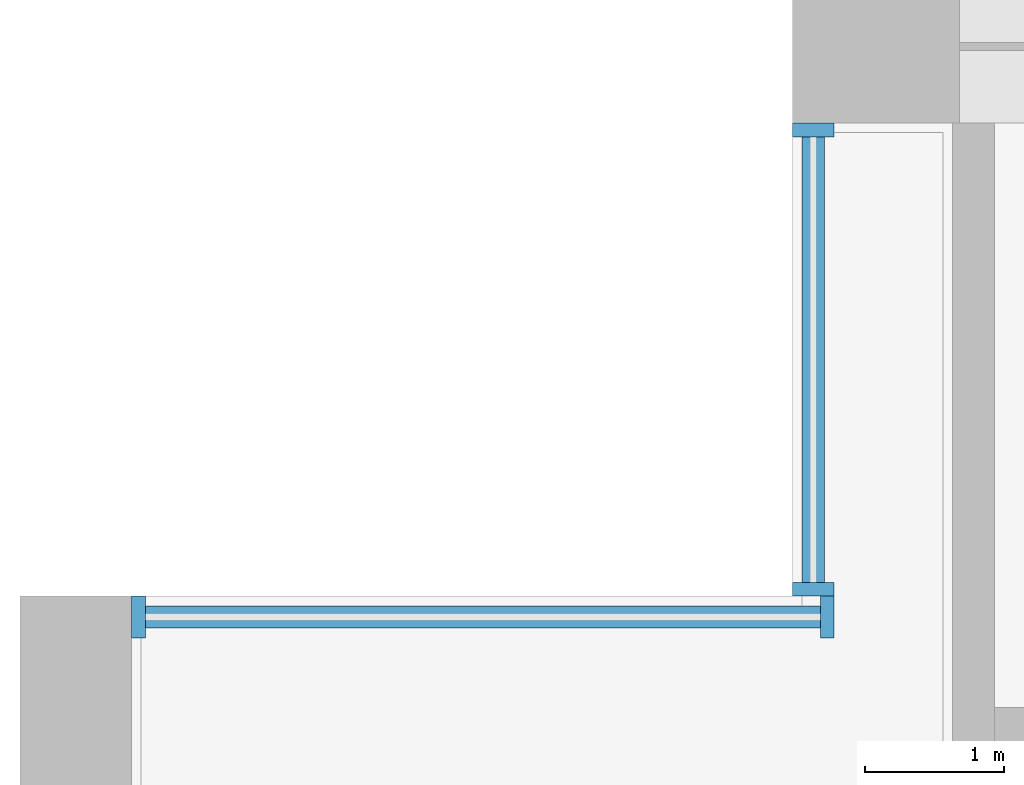
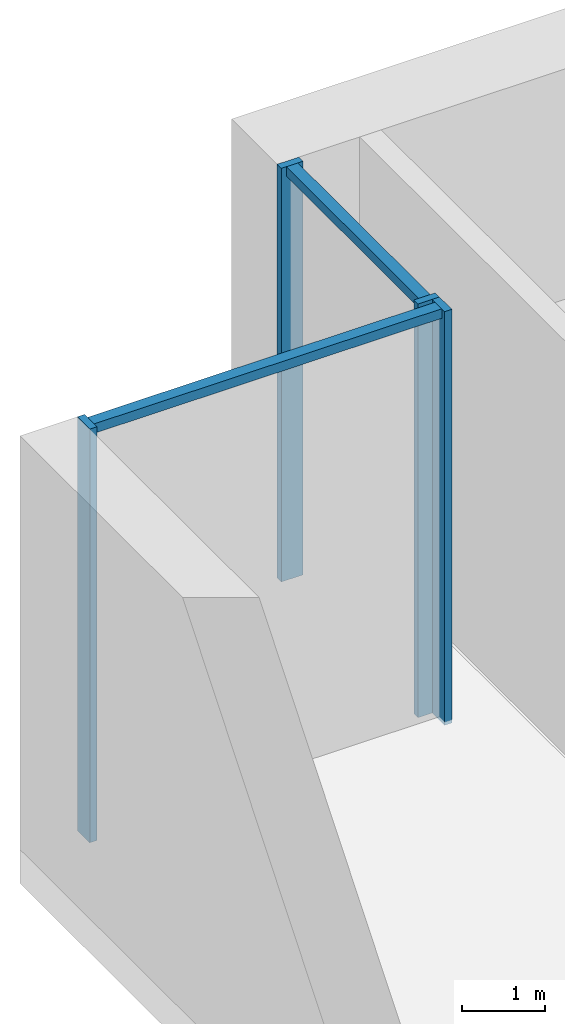
# One storey, part 4 of 18: 6 members, 2 elements without a shape of their own.
"""IFC4 building model written with IfcOpenShell, lengths in metres."""

from ifc_helpers import new_model, si_unit, direction, frame, origin, origin_2d, place, context, subcontext, project, spatial, rectangle, extrude, material, material_profile, profile_set, type_object, element, aggregate, save


model = new_model("IFC4")

# Units and contexts
model_context = context("Model", 3, precision=1e-05, world=origin(), true_north=direction((0.0, 1.0)))
body_context = subcontext(model_context, "Body", "Model", "MODEL_VIEW")
ifc_project = project(units=[si_unit("LENGTHUNIT", "METRE"), si_unit("AREAUNIT", "SQUARE_METRE"), si_unit("VOLUMEUNIT", "CUBIC_METRE"), si_unit("PLANEANGLEUNIT", "RADIAN"), si_unit("MASSUNIT", "GRAM", prefix="KILO")], contexts=[model_context])

# Site, building, storey
site_placement = place(None, origin())
site = spatial("IfcSite", under=ifc_project, at=site_placement, CompositionType="ELEMENT")
building_placement = place(site_placement, origin())
building = spatial("IfcBuilding", under=site, at=building_placement, Name="Calvaro Tower", CompositionType="ELEMENT")
storey_placement = place(building_placement, frame((0.0, 0.0, 11.300048828125)))
storey = spatial("IfcBuildingStorey", under=building, at=storey_placement, Name="L02", CompositionType="ELEMENT", Elevation=11.300048828125)

# Curtain wall, members
ifc_material_1 = material(Name="Anodised aluminium", Category="aluminium")
curtain_wall_type = type_object("IfcCurtainWallType", Name="Foyer curtain wall", PredefinedType="NOTDEFINED", material=ifc_material_1)
curtain_wall_1_placement = place(storey_placement, origin())
curtain_wall_1 = element("IfcCurtainWall", 1, at=curtain_wall_1_placement, inside=storey, type_object=curtain_wall_type, Name="CW6 corner curtain wall", PredefinedType="NOTDEFINED")
ifc_material_2 = material(Name="Anodised aluminium", Category="aluminium")
ifc_material_profile_1 = material_profile(ifc_material_2, rectangle(XDim=0.300048828125, YDim=0.10009765625, at=origin_2d()), Name="Mullion PF 100 x 300")
ifc_profile_set_1 = profile_set([ifc_material_profile_1], Name="Anodised aluminium")
member_type_1 = type_object("IfcMemberType", Name="Mullion PF 100 x 300", PredefinedType="MULLION", material=ifc_profile_set_1)
member_1_placement = place(storey_placement, frame((5.699951171875, 41.550048828125, 0.0), z_axis=(0.0, 0.0, 1.0), x_axis=(-1.0, 0.0, 0.0)))
member_1 = element("IfcMember", 2, at=member_1_placement, type_object=member_type_1, Name="CW6 mullion 1", PredefinedType="MULLION", context=body_context, shape_type="SweptSolid", body=[
    extrude(rectangle(XDim=0.300048828125, YDim=0.10009765625, at=origin_2d()), origin(), (0.0, 0.0, 1.0), 6.099853515625),
])
member_2_placement = place(storey_placement, frame((5.699951171875, 44.85009765625, 0.0), z_axis=(0.0, 0.0, 1.0), x_axis=(-1.0, 0.0, 0.0)))
member_2 = element("IfcMember", 3, at=member_2_placement, type_object=member_type_1, Name="CW6 mullion 2", PredefinedType="MULLION", context=body_context, shape_type="SweptSolid", body=[
    extrude(rectangle(XDim=0.300048828125, YDim=0.10009765625, at=origin_2d()), origin(), (0.0, 0.0, 1.0), 6.099853515625),
])

curtain_wall_2_placement = place(storey_placement, origin())
curtain_wall_2 = element("IfcCurtainWall", 4, at=curtain_wall_2_placement, inside=storey, type_object=curtain_wall_type, Name="CW6 corner curtain wall", PredefinedType="NOTDEFINED")
member_3_placement = place(storey_placement, frame((0.85009765625, 41.35009765625, 0.0), z_axis=(0.0, 0.0, 1.0), x_axis=(0.0, 1.0, 0.0)))
member_3 = element("IfcMember", 5, at=member_3_placement, type_object=member_type_1, Name="CW6 mullion 1", PredefinedType="MULLION", context=body_context, shape_type="SweptSolid", body=[
    extrude(rectangle(XDim=0.300048828125, YDim=0.10009765625, at=origin_2d()), origin(), (0.0, 0.0, 1.0), 6.099853515625),
])
member_4_placement = place(storey_placement, frame((5.800048828125, 41.35009765625, 0.0), z_axis=(0.0, 0.0, 1.0), x_axis=(0.0, 1.0, 0.0)))
member_4 = element("IfcMember", 6, at=member_4_placement, type_object=member_type_1, Name="CW6 mullion 2", PredefinedType="MULLION", context=body_context, shape_type="SweptSolid", body=[
    extrude(rectangle(XDim=0.300048828125, YDim=0.10009765625, at=origin_2d()), origin(), (0.0, 0.0, 1.0), 6.099853515625),
])

# Member
ifc_material_3 = material(Name="Anodised aluminium", Category="aluminium")
ifc_material_profile_2 = material_profile(ifc_material_3, rectangle(XDim=0.159912109375, YDim=0.139892578125, at=origin_2d()), Name="Transom PF 140 x 160")
ifc_profile_set_2 = profile_set([ifc_material_profile_2], Name="Anodised aluminium")
member_type_2 = type_object("IfcMemberType", Name="Transom PF 140 x 160", PredefinedType="USERDEFINED", material=ifc_profile_set_2)
member_5_placement = place(storey_placement, frame((5.699951171875, 41.60009765625, 6.030029296875), z_axis=(0.0, 1.0, 0.0), x_axis=(-1.0, 0.0, 0.0)))
member_5 = element("IfcMember", 7, at=member_5_placement, type_object=member_type_2, Name="CW6 transom 1.1", ObjectType="TRANSOM", PredefinedType="USERDEFINED", context=body_context, shape_type="SweptSolid", body=[
    extrude(rectangle(XDim=0.159912109375, YDim=0.139892578125, at=origin_2d()), origin(), (0.0, 0.0, 1.0), 3.199951171875),
])

aggregate(curtain_wall_1, [member_1, member_2, member_5])

member_6_placement = place(storey_placement, frame((0.89990234375, 41.35009765625, 6.030029296875), z_axis=(1.0, 0.0, 0.0), x_axis=(0.0, 1.0, 0.0)))
member_6 = element("IfcMember", 8, at=member_6_placement, type_object=member_type_2, Name="CW6 transom 1.1", ObjectType="TRANSOM", PredefinedType="USERDEFINED", context=body_context, shape_type="SweptSolid", body=[
    extrude(rectangle(XDim=0.159912109375, YDim=0.139892578125, at=origin_2d()), origin(), (0.0, 0.0, 1.0), 4.85009765625),
])

aggregate(curtain_wall_2, [member_3, member_4, member_6])

save(model, "model.ifc")
